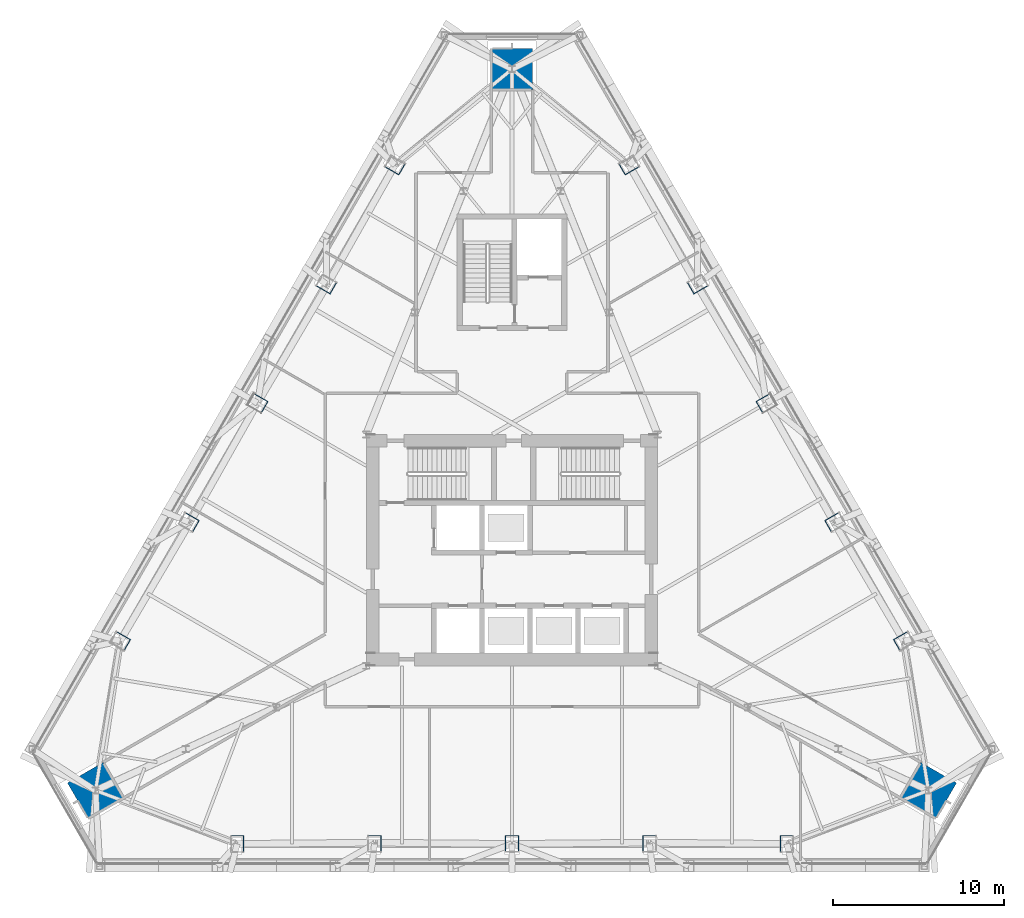
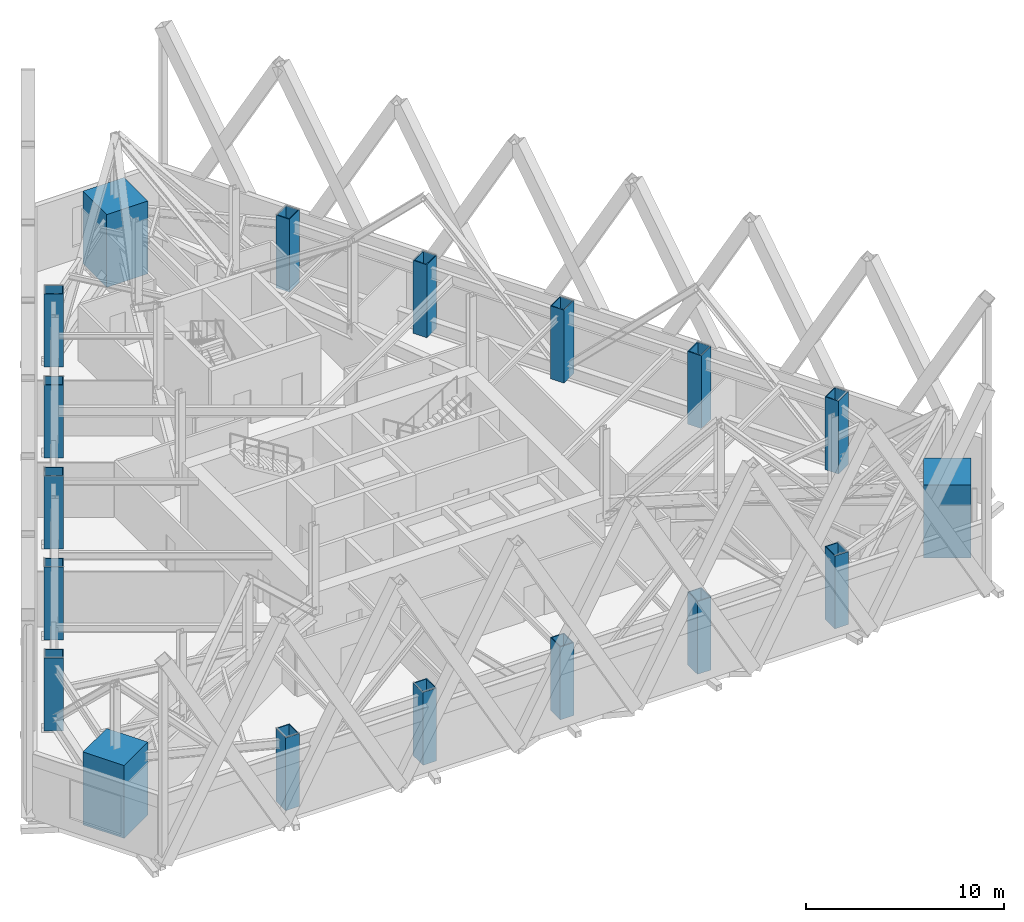
# One storey, part 1 of 16: 18 columns.
"""IFC4 building model written with IfcOpenShell, lengths in metres."""

from ifc_helpers import new_model, si_unit, direction, frame, origin, origin_2d, place, context, subcontext, project, spatial, rectangle, hollow_rectangle, extrude, material, material_profile, profile_set, type_object, element, save


model = new_model("IFC4")

# Units and contexts
model_context = context("Model", 3, precision=1e-05, world=origin(), true_north=direction((0.0, 1.0)))
body_context = subcontext(model_context, "Body", "Model", "MODEL_VIEW")
ifc_project = project(units=[si_unit("LENGTHUNIT", "METRE"), si_unit("AREAUNIT", "SQUARE_METRE"), si_unit("VOLUMEUNIT", "CUBIC_METRE"), si_unit("PLANEANGLEUNIT", "RADIAN"), si_unit("MASSUNIT", "GRAM", prefix="KILO")], contexts=[model_context])

# Site, building, storey
site_placement = place(None, origin())
site = spatial("IfcSite", under=ifc_project, at=site_placement, CompositionType="ELEMENT")
building_placement = place(site_placement, origin())
building = spatial("IfcBuilding", under=site, at=building_placement, Name="Firuza Gate Tower and Library", CompositionType="ELEMENT")
storey_placement = place(building_placement, frame((0.0, 0.0, 247.60009765625)))
storey = spatial("IfcBuildingStorey", under=building, at=storey_placement, Name="L58", CompositionType="ELEMENT", Elevation=247.60009765625)

# Columns
ifc_material_1 = material(Name="Steel S355", Category="steel")
ifc_material_profile_1 = material_profile(ifc_material_1, hollow_rectangle(XDim=0.800048828125, YDim=1.0, WallThickness=0.050048828125, at=origin_2d()))
ifc_profile_set_1 = profile_set([ifc_material_profile_1], Name="Steel S355")
column_type_1 = type_object("IfcColumnType", Name="BU1000x800x50 Composite box column", PredefinedType="COLUMN", material=ifc_profile_set_1)
for number, where, z_axis, x_axis, name in (
    (1, (58.966552734375, 57.85791015625, -0.00048828125), (0.0, 0.0, 1.0), (1.0, 0.0, 0.0), "Column S1 L58"),
    (2, (66.9833984375, 57.85791015625, -0.00048828125), (0.0, 0.0, 1.0), (1.0, 0.0, 0.0), "Column S2 L58"),
    (3, (75.0, 57.85791015625, -0.00048828125), (0.0, 0.0, 1.0), (1.0, 0.0, 0.0), "Column S3 L58"),
    (4, (83.0166015625, 57.85791015625, -0.00048828125), (0.0, 0.0, 1.0), (1.0, 0.0, 0.0), "Column S4 L58"),
    (5, (91.033447265625, 57.85791015625, -0.00048828125), (0.0, 0.0, 1.0), (1.0, 0.0, 0.0), "Column S5 L58"),
    (6, (97.8623046875, 69.685791015625, -0.00048828125), (0.0, 0.0, 1.0), (-0.5, 0.866025403784, 0.0), "Column E1 L58"),
    (7, (93.85400390625, 76.62841796875, -0.00048828125), (0.0, 0.0, 1.0), (-0.5, 0.866025403784, 0.0), "Column E2 L58"),
    (8, (89.845458984375, 83.571044921875, -0.00048828125), (0.0, 0.0, 1.0), (-0.5, 0.866025403784, 0.0), "Column E3 L58"),
    (9, (85.837158203125, 90.513671875, -0.00048828125), (0.0, 0.0, 1.0), (-0.5, 0.866025403784, 0.0), "Column E4 L58"),
    (10, (81.828857421875, 97.456298828125, -0.00048828125), (0.0, 0.0, 1.0), (-0.5, 0.866025403784, 0.0), "Column E5 L58"),
    (11, (68.171142578125, 97.456298828125, -0.00048828125), (0.0, 0.0, 1.0), (-0.5, -0.866025403784, 0.0), "Column W1 L58"),
    (12, (64.162841796875, 90.513671875, -0.00048828125), (0.0, 0.0, 1.0), (-0.5, -0.866025403784, 0.0), "Column W2 L58"),
    (13, (60.154541015625, 83.571044921875, -0.00048828125), (0.0, 0.0, 1.0), (-0.5, -0.866025403784, 0.0), "Column W3 L58"),
    (14, (56.14599609375, 76.62841796875, -0.00048828125), (0.0, 0.0, 1.0), (-0.5, -0.866025403784, 0.0), "Column W4 L58"),
    (15, (52.1376953125, 69.685791015625, -0.00048828125), (0.0, 0.0, 1.0), (-0.5, -0.866025403784, 0.0), "Column W5 L58"),
):
    element("IfcColumn", number, at=place(storey_placement, frame(where, z_axis=z_axis, x_axis=x_axis)), inside=storey, type_object=column_type_1, Name=name, PredefinedType="COLUMN", context=body_context, shape_type="SweptSolid", body=[
        extrude(hollow_rectangle(XDim=0.800048828125, YDim=1.0, WallThickness=0.050048828125, at=origin_2d()), origin(), (0.0, 0.0, 1.0), 4.50048828125),
    ])
ifc_material_2 = material(Name="Concrete C80/95", Category="concrete")
ifc_material_profile_2 = material_profile(ifc_material_2, rectangle(XDim=2.39990234375, YDim=2.39990234375, at=origin_2d()))
ifc_profile_set_2 = profile_set([ifc_material_profile_2], Name="Concrete C80/95")
column_type_2 = type_object("IfcColumnType", Name="Mega column 2400x2400 C80/95", PredefinedType="COLUMN", material=ifc_profile_set_2)
for number, where, z_axis, x_axis, name in (
    (16, (99.291259765625, 60.9755859375, 0.0), (0.0, 0.0, 1.0), (0.5, 0.866025403784, 0.0), "Mega column SE L58"),
    (17, (75.0, 103.049072265625, 0.0), (0.0, 0.0, 1.0), (-1.0, 0.0, 0.0), "Mega column N L58"),
    (18, (50.708740234375, 60.9755859375, 0.0), (0.0, 0.0, 1.0), (0.5, -0.866025403784, 0.0), "Mega column SW L58"),
):
    element("IfcColumn", number, at=place(storey_placement, frame(where, z_axis=z_axis, x_axis=x_axis)), inside=storey, type_object=column_type_2, Name=name, PredefinedType="COLUMN", context=body_context, shape_type="SweptSolid", body=[
        extrude(rectangle(XDim=2.39990234375, YDim=2.39990234375, at=origin_2d()), origin(), (0.0, 0.0, 1.0), 4.5),
    ])

save(model, "model.ifc")
